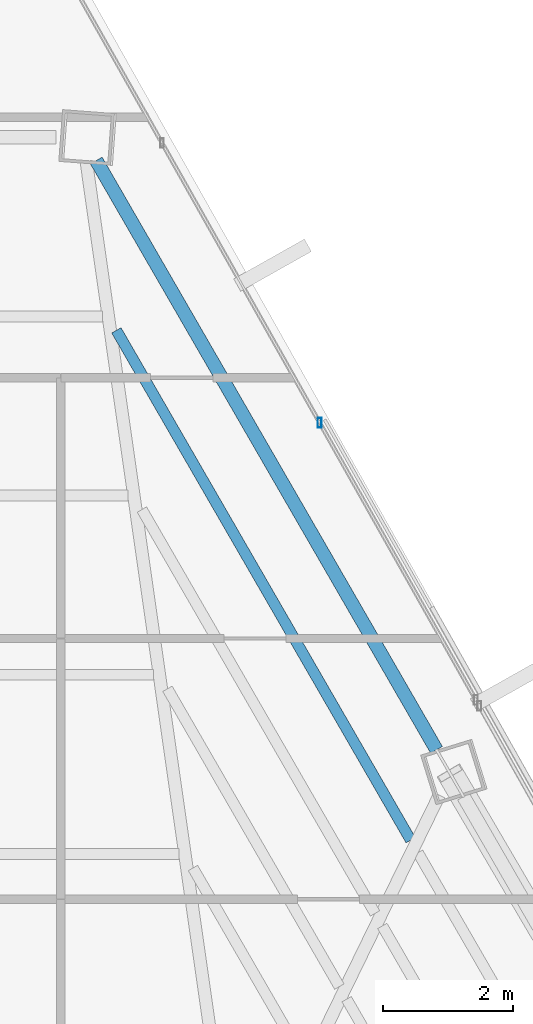
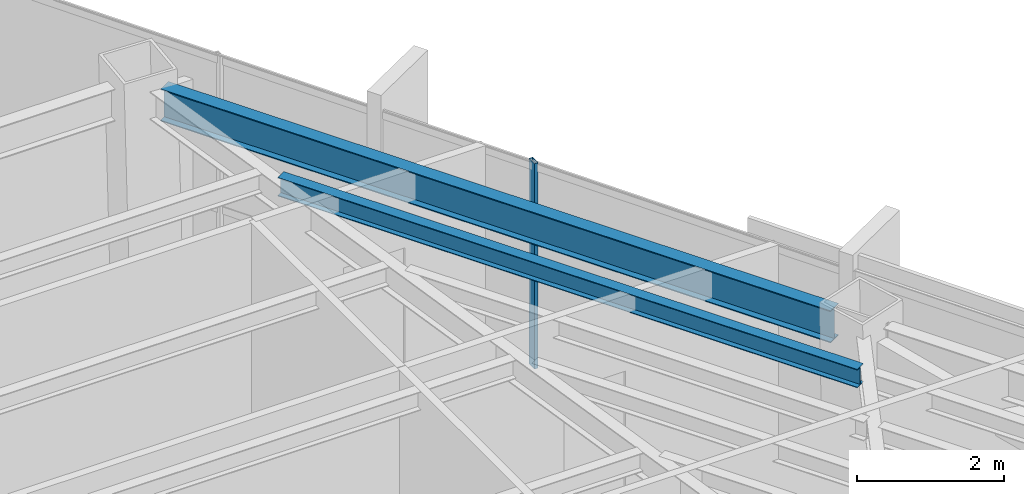
# One storey, part 31 of 44: 2 beams, 1 member, 1 element without a shape of its own.
"""IFC4 building model written with IfcOpenShell, lengths in metres."""

from ifc_helpers import new_model, si_unit, direction, frame, origin, origin_2d, place, context, subcontext, project, spatial, hollow_rectangle, i_section, extrude, source, transform, mapped, material, material_profile, profile_set, type_object, type_shapes, element, aggregate, save


model = new_model("IFC4")

# Units and contexts
model_context = context("Model", 3, precision=1e-05, world=origin(), true_north=direction((0.0, 1.0)))
body_context = subcontext(model_context, "Body", "Model", "MODEL_VIEW")
ifc_project = project(units=[si_unit("LENGTHUNIT", "METRE"), si_unit("AREAUNIT", "SQUARE_METRE"), si_unit("VOLUMEUNIT", "CUBIC_METRE"), si_unit("PLANEANGLEUNIT", "RADIAN"), si_unit("MASSUNIT", "GRAM", prefix="KILO")], contexts=[model_context])

# Site, building, storey
site_placement = place(None, origin())
site = spatial("IfcSite", under=ifc_project, at=site_placement, CompositionType="ELEMENT")
building_placement = place(site_placement, origin())
building = spatial("IfcBuilding", under=site, at=building_placement, Name="Caelisora Broadcast Tower", CompositionType="ELEMENT")
storey_placement = place(building_placement, frame((0.0, 0.0, 198.64990234375)))
storey = spatial("IfcBuildingStorey", under=building, at=storey_placement, Name="L52", CompositionType="ELEMENT", Elevation=198.64990234375)

# Beams
ifc_material_1 = material(Name="Steel Grade 350 (AS/NZS 3679.1)", Category="steel")
ifc_material_profile_1 = material_profile(ifc_material_1, i_section(OverallWidth=0.208984375, OverallDepth=0.532958984375, WebThickness=0.01025390625, FlangeThickness=0.015625, at=origin_2d()), Name="Steel Grade 350 (AS/NZS 3679.1)")
ifc_profile_set_1 = profile_set([ifc_material_profile_1], Name="Steel Grade 350 (AS/NZS 3679.1)")
beam_type_1 = type_object("IfcBeamType", Name="PG05", PredefinedType="BEAM", material=ifc_profile_set_1)
shared_shape_1 = source(origin(), body_context, "Body", "SweptSolid", [
    extrude(i_section(OverallWidth=0.208984375, OverallDepth=0.532958984375, WebThickness=0.01025390625, FlangeThickness=0.015625, at=origin_2d()), origin(), (0.0, 0.0, 1.0), 10.49169921875),
])
type_shapes(beam_type_1, [shared_shape_1])
beam_1_placement = place(storey_placement, frame((48.592041015625, 37.13330078125, 3.133544921875), z_axis=(-0.500005800921, 0.866022054595, 0.0), x_axis=(-0.866022054595, -0.500005800921, 0.0)))
element("IfcBeam", 1, at=beam_1_placement, inside=storey, type_object=beam_type_1, Name="L52 beam PG05", PredefinedType="BEAM", context=body_context, shape_type="MappedRepresentation", body=[
    mapped(shared_shape_1, transform((0.0, 0.0, 0.0), scale=1.0)),
])
ifc_material_profile_2 = material_profile(ifc_material_1, i_section(OverallWidth=0.166015625, OverallDepth=0.30712890625, WebThickness=0.006591796875, FlangeThickness=0.01171875, at=origin_2d()), Name="Steel Grade 350 (AS/NZS 3679.1)")
ifc_profile_set_2 = profile_set([ifc_material_profile_2], Name="Steel Grade 350 (AS/NZS 3679.1)")
beam_type_2 = type_object("IfcBeamType", Name="SB03", PredefinedType="JOIST", material=ifc_profile_set_2)
shared_shape_2 = source(origin(), body_context, "Body", "SweptSolid", [
    extrude(i_section(OverallWidth=0.166015625, OverallDepth=0.30712890625, WebThickness=0.006591796875, FlangeThickness=0.01171875, at=origin_2d()), origin(), (0.0, 0.0, 1.0), 9.076171875),
])
type_shapes(beam_type_2, [shared_shape_2])
beam_2_placement = place(storey_placement, frame((48.194091796875, 35.7412109375, 3.24658203125), z_axis=(-0.500004197968, 0.866022980073, 0.0), x_axis=(-0.866022980073, -0.500004197968, 0.0)))
element("IfcBeam", 2, at=beam_2_placement, inside=storey, type_object=beam_type_2, Name="L52 beam SB03", PredefinedType="JOIST", context=body_context, shape_type="MappedRepresentation", body=[
    mapped(shared_shape_2, transform((0.0, 0.0, 0.0), scale=1.0)),
])

# Curtain wall, member
ifc_material_2 = material(Name="Unitised Aluminium and Low-E Glass Curtain Wall", Category="glass")
curtain_wall_type = type_object("IfcCurtainWallType", Name="CW-Z4", PredefinedType="NOTDEFINED", material=ifc_material_2)
curtain_wall_placement = place(storey_placement, origin())
curtain_wall = element("IfcCurtainWall", 3, at=curtain_wall_placement, inside=storey, type_object=curtain_wall_type, Name="L52 curtain wall CW-Z4", PredefinedType="NOTDEFINED")
ifc_material_3 = material(Name="Aluminium 6063-T6 Anodised Terracotta Bronze", Category="aluminium")
ifc_material_profile_3 = material_profile(ifc_material_3, hollow_rectangle(XDim=0.06005859375, YDim=0.14990234375, WallThickness=0.00341796875, at=origin_2d()), Name="Aluminium 6063-T6 Anodised Terracotta Bronze")
ifc_profile_set_3 = profile_set([ifc_material_profile_3], Name="Aluminium 6063-T6 Anodised Terracotta Bronze")
member_type = type_object("IfcMemberType", Name="CWM-03", PredefinedType="MULLION", material=ifc_profile_set_3)
shared_shape_3 = source(origin(), body_context, "Body", "SweptSolid", [
    extrude(hollow_rectangle(XDim=0.06005859375, YDim=0.14990234375, WallThickness=0.00341796875, at=origin_2d()), origin(), (0.0, 0.0, 1.0), 3.400146484375),
])
type_shapes(member_type, [shared_shape_3])
member_placement = place(storey_placement, frame((46.791015625, 42.17529296875, 0.0), z_axis=(0.0, 0.0, 1.0), x_axis=(1.0, 0.0, 0.0)))
member = element("IfcMember", 4, at=member_placement, type_object=member_type, Name="L52-CW-B01 mullion #2", PredefinedType="MULLION", context=body_context, shape_type="MappedRepresentation", body=[
    mapped(shared_shape_3, transform((0.0, 0.0, 0.0), scale=1.0)),
])
aggregate(curtain_wall, [member])

save(model, "model.ifc")
